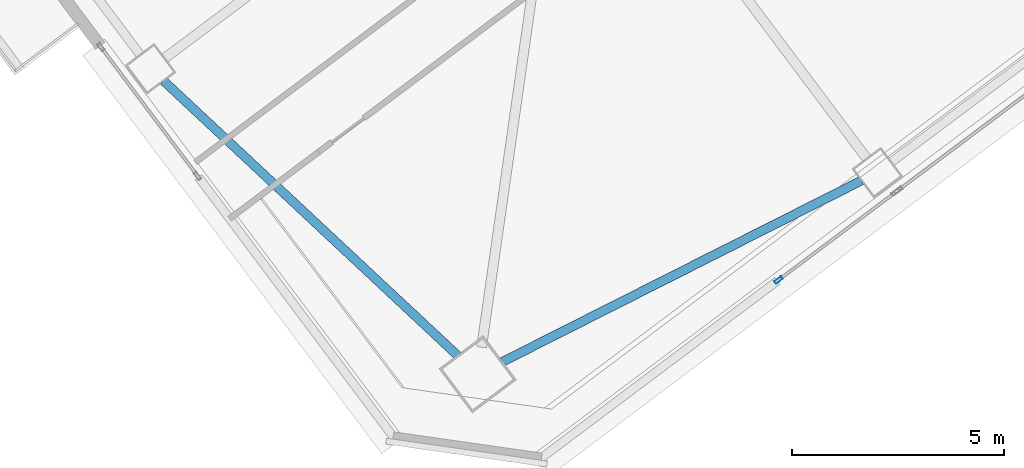
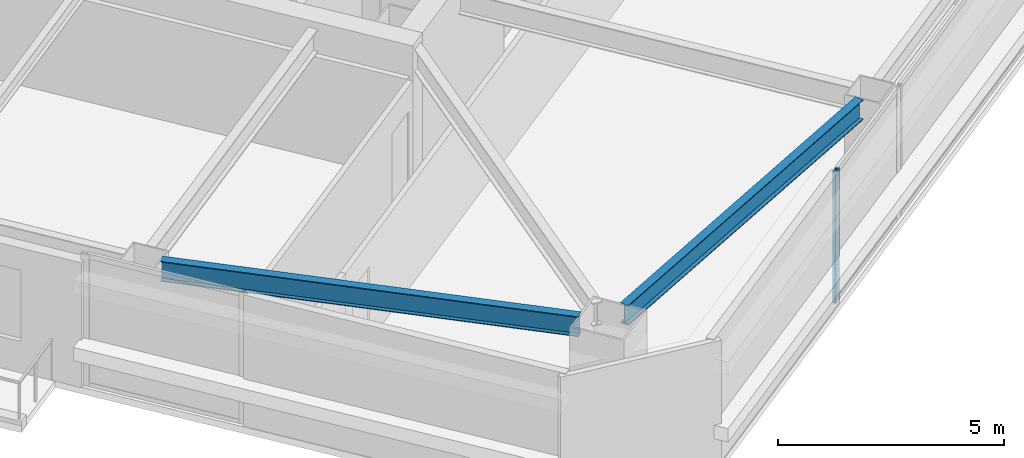
# One storey, part 18 of 40: 2 beams, 1 member, 1 element without a shape of its own.
"""IFC4 building model written with IfcOpenShell, lengths in metres."""

from ifc_helpers import new_model, si_unit, direction, frame, origin, origin_2d, place, context, subcontext, project, spatial, hollow_rectangle, i_section, extrude, material, material_profile, profile_set, type_object, element, aggregate, save


model = new_model("IFC4")

# Units and contexts
model_context = context("Model", 3, precision=1e-05, world=origin(), true_north=direction((0.0, 1.0)))
body_context = subcontext(model_context, "Body", "Model", "MODEL_VIEW")
ifc_project = project(units=[si_unit("LENGTHUNIT", "METRE"), si_unit("AREAUNIT", "SQUARE_METRE"), si_unit("VOLUMEUNIT", "CUBIC_METRE"), si_unit("PLANEANGLEUNIT", "RADIAN"), si_unit("MASSUNIT", "GRAM", prefix="KILO")], contexts=[model_context])

# Site, building, storey
site_placement = place(None, origin())
site = spatial("IfcSite", under=ifc_project, at=site_placement, CompositionType="ELEMENT")
building_placement = place(site_placement, origin())
building = spatial("IfcBuilding", under=site, at=building_placement, Name="Tashvorn Skyway Center", CompositionType="ELEMENT")
storey_placement = place(building_placement, frame((0.0, 0.0, 142.800048828125)))
storey = spatial("IfcBuildingStorey", under=building, at=storey_placement, Name="L38", CompositionType="ELEMENT", Elevation=142.800048828125)

# Beams
ifc_material_1 = material(Name="Steel ASTM A992 Grade 50", Category="steel")
ifc_material_profile_1 = material_profile(ifc_material_1, i_section(OverallWidth=0.2109375, OverallDepth=0.5390625, WebThickness=0.01171875, FlangeThickness=0.018798828125, at=origin_2d()), Name="W21X73")
ifc_profile_set_1 = profile_set([ifc_material_profile_1], Name="Steel ASTM A992 Grade 50")
beam_type = type_object("IfcBeamType", Name="BM-SPANDREL-W21X73", PredefinedType="SPANDREL", material=ifc_profile_set_1)
beam_1_placement = place(storey_placement, frame((111.415771484375, 10.170654296875, 3.100341796875), z_axis=(0.892719124217, 0.450613543136, 0.0), x_axis=(-0.450613543136, 0.892719124217, 0.0)))
element("IfcBeam", 1, at=beam_1_placement, inside=storey, type_object=beam_type, Name="Tower 2 L38 Spandrel Beam 01", PredefinedType="SPANDREL", context=body_context, shape_type="SweptSolid", body=[
    extrude(i_section(OverallWidth=0.2109375, OverallDepth=0.5390625, WebThickness=0.01171875, FlangeThickness=0.018798828125, at=origin_2d()), origin(), (0.0, 0.0, 1.0), 9.498291015625),
])
beam_2_placement = place(storey_placement, frame((103.427001953125, 16.80322265625, 3.100341796875), z_axis=(0.730843250868, -0.682545341102, 0.0), x_axis=(0.682545341102, 0.730843250868, 0.0)))
element("IfcBeam", 2, at=beam_2_placement, inside=storey, type_object=beam_type, Name="Tower 2 L38 Spandrel Beam 12", PredefinedType="SPANDREL", context=body_context, shape_type="SweptSolid", body=[
    extrude(i_section(OverallWidth=0.2109375, OverallDepth=0.5390625, WebThickness=0.01171875, FlangeThickness=0.018798828125, at=origin_2d()), origin(), (0.0, 0.0, 1.0), 9.498046875),
])

# Curtain wall, member
ifc_material_2 = material(Name="Thermally broken bronze-anodized aluminium 6063-T6", Category="aluminium")
curtain_wall_type = type_object("IfcCurtainWallType", Name="CW-CW-Z3", PredefinedType="NOTDEFINED", material=ifc_material_2)
curtain_wall_placement = place(storey_placement, origin())
curtain_wall = element("IfcCurtainWall", 3, at=curtain_wall_placement, inside=storey, type_object=curtain_wall_type, Name="Tower 2 L38 South Unitised Curtain Wall Glazing Group 3", PredefinedType="NOTDEFINED")
ifc_material_profile_2 = material_profile(ifc_material_2, hollow_rectangle(XDim=0.074951171875, YDim=0.199951171875, WallThickness=0.00439453125, at=origin_2d()), Name="ALU-MULL-75x200")
ifc_profile_set_2 = profile_set([ifc_material_profile_2], Name="Thermally broken bronze-anodized aluminium 6063-T6")
member_type = type_object("IfcMemberType", Name="CWM-CW-Z3", PredefinedType="MULLION", material=ifc_profile_set_2)
member_placement = place(storey_placement, frame((117.940185546875, 12.105224609375, 0.0), z_axis=(0.0, 0.0, 1.0), x_axis=(0.599995465948, -0.800003400519, 0.0)))
member = element("IfcMember", 4, at=member_placement, type_object=member_type, Name="CW-Z3 mullion 2", PredefinedType="MULLION", context=body_context, shape_type="SweptSolid", body=[
    extrude(hollow_rectangle(XDim=0.074951171875, YDim=0.199951171875, WallThickness=0.00439453125, at=origin_2d()), origin(), (0.0, 0.0, 1.0), 3.550048828125),
])
aggregate(curtain_wall, [member])

save(model, "model.ifc")
